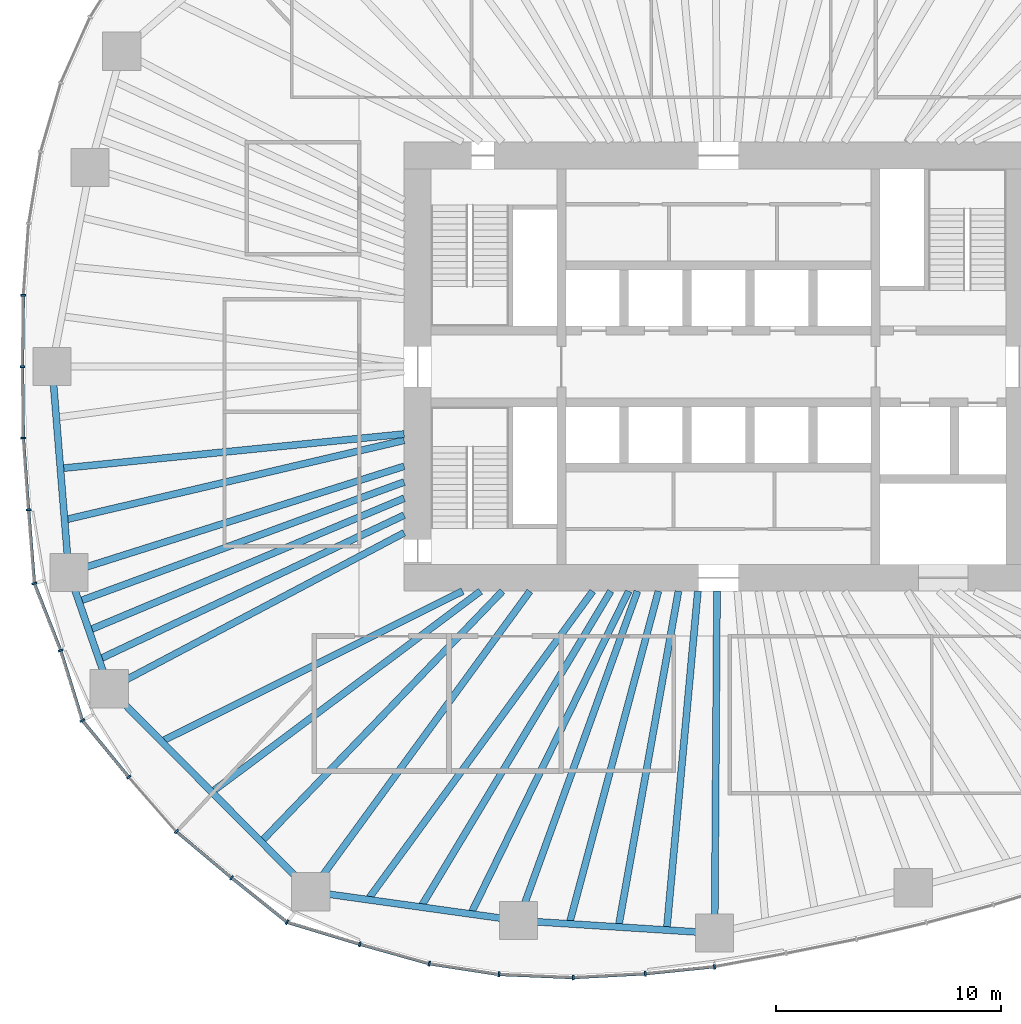
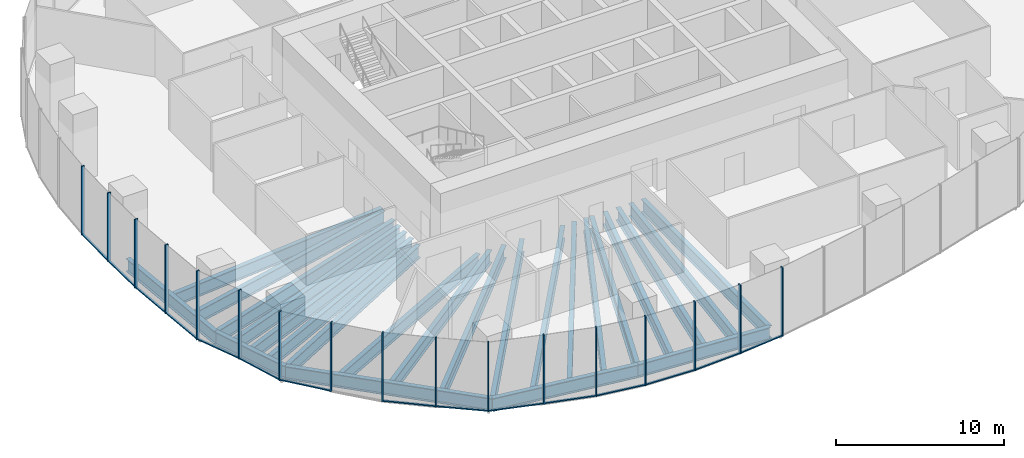
# One storey, part 2 of 20: 32 members, 24 beams, 7 elements without a shape of their own.
"""IFC4 building model written with IfcOpenShell, lengths in metres."""

from ifc_helpers import new_model, si_unit, direction, frame, origin, origin_2d, place, context, subcontext, project, spatial, rectangle, i_section, extrude, material, material_profile, profile_set, type_object, element, aggregate, save


model = new_model("IFC4")

# Units and contexts
model_context = context("Model", 3, precision=1e-05, world=origin(), true_north=direction((0.0, 1.0)))
body_context = subcontext(model_context, "Body", "Model", "MODEL_VIEW")
ifc_project = project(units=[si_unit("LENGTHUNIT", "METRE"), si_unit("AREAUNIT", "SQUARE_METRE"), si_unit("VOLUMEUNIT", "CUBIC_METRE"), si_unit("PLANEANGLEUNIT", "RADIAN"), si_unit("MASSUNIT", "GRAM", prefix="KILO")], contexts=[model_context])

# Site, building, storey
site_placement = place(None, origin())
site = spatial("IfcSite", under=ifc_project, at=site_placement, CompositionType="ELEMENT")
building_placement = place(site_placement, origin())
building = spatial("IfcBuilding", under=site, at=building_placement, Name="Ghaith Harvest Tower", CompositionType="ELEMENT")
storey_placement = place(building_placement, frame((0.0, 0.0, 60.0)))
storey = spatial("IfcBuildingStorey", under=building, at=storey_placement, Name="L12", CompositionType="ELEMENT", Elevation=60.0)

# Curtain wall, member
ifc_material_1 = material(Name="Black anodised aluminium and fritted glass", Category="aluminium")
curtain_wall_type = type_object("IfcCurtainWallType", Name="CW-F CURTAIN WALL", PredefinedType="NOTDEFINED", material=ifc_material_1)
curtain_wall_1_placement = place(storey_placement, origin())
curtain_wall_1 = element("IfcCurtainWall", 1, at=curtain_wall_1_placement, inside=storey, type_object=curtain_wall_type, Name="Curtain wall CW-F bay 10 L12", PredefinedType="NOTDEFINED")
ifc_material_2 = material(Name="Aluminium, black anodised", Category="aluminium")
ifc_material_profile_1 = material_profile(ifc_material_2, rectangle(XDim=0.080078125, YDim=0.219970703125, at=origin_2d()), Name="CW-F MULLION 80x220")
ifc_profile_set_1 = profile_set([ifc_material_profile_1], Name="Aluminium, black anodised")
member_type_1 = type_object("IfcMemberType", Name="CW-F MULLION 80x220", PredefinedType="MULLION", material=ifc_profile_set_1)
member_1_placement = place(storey_placement, frame((-30.95654296875, 3.177978515625, 0.0), z_axis=(0.0, 0.0, 1.0), x_axis=(-0.042427007767, -0.999099569118, 0.0)))
member_1 = element("IfcMember", 2, at=member_1_placement, type_object=member_type_1, Name="CW-F mullion 3 bay 10 L12", PredefinedType="MULLION", context=body_context, shape_type="SweptSolid", body=[
    extrude(rectangle(XDim=0.080078125, YDim=0.219970703125, at=origin_2d()), origin(), (0.0, 0.0, 1.0), 5.0),
])

# Curtain wall, members
curtain_wall_2_placement = place(storey_placement, origin())
curtain_wall_2 = element("IfcCurtainWall", 3, at=curtain_wall_2_placement, inside=storey, type_object=curtain_wall_type, Name="Curtain wall CW-F bay 11 L12", PredefinedType="NOTDEFINED")
member_2_placement = place(storey_placement, frame((-30.9951171875, 0.0, 0.0), z_axis=(0.0, 0.0, 1.0), x_axis=(1.4e-10, -1.0, 0.0)))
member_2 = element("IfcMember", 4, at=member_2_placement, type_object=member_type_1, Name="CW-F mullion 1 bay 11 L12", PredefinedType="MULLION", context=body_context, shape_type="SweptSolid", body=[
    extrude(rectangle(XDim=0.080078125, YDim=0.219970703125, at=origin_2d()), origin(), (0.0, 0.0, 1.0), 5.0),
])
member_3_placement = place(storey_placement, frame((-30.95654296875, -3.177978515625, 0.0), z_axis=(0.0, 0.0, 1.0), x_axis=(0.042427007872, -0.999099569114, 0.0)))
member_3 = element("IfcMember", 5, at=member_3_placement, type_object=member_type_1, Name="CW-F mullion 2 bay 11 L12", PredefinedType="MULLION", context=body_context, shape_type="SweptSolid", body=[
    extrude(rectangle(XDim=0.080078125, YDim=0.219970703125, at=origin_2d()), origin(), (0.0, 0.0, 1.0), 5.0),
])
member_4_placement = place(storey_placement, frame((-30.724365234375, -6.37548828125, 0.0), z_axis=(0.0, 0.0, 1.0), x_axis=(0.07568573288, -0.997131721408, 0.0)))
member_4 = element("IfcMember", 6, at=member_4_placement, type_object=member_type_1, Name="CW-F mullion 3 bay 11 L12", PredefinedType="MULLION", context=body_context, shape_type="SweptSolid", body=[
    extrude(rectangle(XDim=0.080078125, YDim=0.219970703125, at=origin_2d()), origin(), (0.0, 0.0, 1.0), 5.0),
])

curtain_wall_3_placement = place(storey_placement, origin())
curtain_wall_3 = element("IfcCurtainWall", 7, at=curtain_wall_3_placement, inside=storey, type_object=curtain_wall_type, Name="Curtain wall CW-F bay 12 L12", PredefinedType="NOTDEFINED")
member_5_placement = place(storey_placement, frame((-30.46484375, -9.65478515625, 0.0), z_axis=(0.0, 0.0, 1.0), x_axis=(0.222967363441, -0.974825910017, 0.0)))
member_5 = element("IfcMember", 8, at=member_5_placement, type_object=member_type_1, Name="CW-F mullion 1 bay 12 L12", PredefinedType="MULLION", context=body_context, shape_type="SweptSolid", body=[
    extrude(rectangle(XDim=0.080078125, YDim=0.219970703125, at=origin_2d()), origin(), (0.0, 0.0, 1.0), 5.0),
])
member_6_placement = place(storey_placement, frame((-29.29248046875, -12.63525390625, 0.0), z_axis=(0.0, 0.0, 1.0), x_axis=(0.330700518925, -0.943735750506, 0.0)))
member_6 = element("IfcMember", 9, at=member_6_placement, type_object=member_type_1, Name="CW-F mullion 2 bay 12 L12", PredefinedType="MULLION", context=body_context, shape_type="SweptSolid", body=[
    extrude(rectangle(XDim=0.080078125, YDim=0.219970703125, at=origin_2d()), origin(), (0.0, 0.0, 1.0), 5.0),
])
member_7_placement = place(storey_placement, frame((-28.3271484375, -15.7548828125, 0.0), z_axis=(0.0, 0.0, 1.0), x_axis=(0.473265082527, -0.880920065421, 0.0)))
member_7 = element("IfcMember", 10, at=member_7_placement, type_object=member_type_1, Name="CW-F mullion 3 bay 12 L12", PredefinedType="MULLION", context=body_context, shape_type="SweptSolid", body=[
    extrude(rectangle(XDim=0.080078125, YDim=0.219970703125, at=origin_2d()), origin(), (0.0, 0.0, 1.0), 5.0),
])

curtain_wall_4_placement = place(storey_placement, origin())
curtain_wall_4 = element("IfcCurtainWall", 11, at=curtain_wall_4_placement, inside=storey, type_object=curtain_wall_type, Name="Curtain wall CW-F bay 13 L12", PredefinedType="NOTDEFINED")
member_8_placement = place(storey_placement, frame((-26.26318359375, -18.274169921875, 0.0), z_axis=(0.0, 0.0, 1.0), x_axis=(0.646523538748, -0.762894038412, 0.0)))
member_8 = element("IfcMember", 12, at=member_8_placement, type_object=member_type_1, Name="CW-F mullion 1 bay 13 L12", PredefinedType="MULLION", context=body_context, shape_type="SweptSolid", body=[
    extrude(rectangle(XDim=0.080078125, YDim=0.219970703125, at=origin_2d()), origin(), (0.0, 0.0, 1.0), 5.0),
])
member_9_placement = place(storey_placement, frame((-24.139404296875, -20.696533203125, 0.0), z_axis=(0.0, 0.0, 1.0), x_axis=(0.714663248554, -0.699468684907, 0.0)))
member_9 = element("IfcMember", 13, at=member_9_placement, type_object=member_type_1, Name="CW-F mullion 2 bay 13 L12", PredefinedType="MULLION", context=body_context, shape_type="SweptSolid", body=[
    extrude(rectangle(XDim=0.080078125, YDim=0.219970703125, at=origin_2d()), origin(), (0.0, 0.0, 1.0), 5.0),
])
member_10_placement = place(storey_placement, frame((-21.681640625, -22.758056640625, 0.0), z_axis=(0.0, 0.0, 1.0), x_axis=(0.773138721505, -0.634236956751, 0.0)))
member_10 = element("IfcMember", 14, at=member_10_placement, type_object=member_type_1, Name="CW-F mullion 3 bay 13 L12", PredefinedType="MULLION", context=body_context, shape_type="SweptSolid", body=[
    extrude(rectangle(XDim=0.080078125, YDim=0.219970703125, at=origin_2d()), origin(), (0.0, 0.0, 1.0), 5.0),
])

curtain_wall_5_placement = place(storey_placement, origin())
curtain_wall_5 = element("IfcCurtainWall", 15, at=curtain_wall_5_placement, inside=storey, type_object=curtain_wall_type, Name="Curtain wall CW-F bay 14 L12", PredefinedType="NOTDEFINED")
member_11_placement = place(storey_placement, frame((-19.212646484375, -24.73828125, 0.0), z_axis=(0.0, 0.0, 1.0), x_axis=(0.887912253774, -0.460012858079, 0.0)))
member_11 = element("IfcMember", 16, at=member_11_placement, type_object=member_type_1, Name="CW-F mullion 1 bay 14 L12", PredefinedType="MULLION", context=body_context, shape_type="SweptSolid", body=[
    extrude(rectangle(XDim=0.080078125, YDim=0.219970703125, at=origin_2d()), origin(), (0.0, 0.0, 1.0), 5.0),
])
member_12_placement = place(storey_placement, frame((-15.97119140625, -25.716552734375, 0.0), z_axis=(0.0, 0.0, 1.0), x_axis=(0.960008876539, -0.279969564356, 0.0)))
member_12 = element("IfcMember", 17, at=member_12_placement, type_object=member_type_1, Name="CW-F mullion 2 bay 14 L12", PredefinedType="MULLION", context=body_context, shape_type="SweptSolid", body=[
    extrude(rectangle(XDim=0.080078125, YDim=0.219970703125, at=origin_2d()), origin(), (0.0, 0.0, 1.0), 5.0),
])
member_13_placement = place(storey_placement, frame((-12.880615234375, -26.5849609375, 0.0), z_axis=(0.0, 0.0, 1.0), x_axis=(0.977207016024, -0.212288595628, 0.0)))
member_13 = element("IfcMember", 18, at=member_13_placement, type_object=member_type_1, Name="CW-F mullion 3 bay 14 L12", PredefinedType="MULLION", context=body_context, shape_type="SweptSolid", body=[
    extrude(rectangle(XDim=0.080078125, YDim=0.219970703125, at=origin_2d()), origin(), (0.0, 0.0, 1.0), 5.0),
])

curtain_wall_6_placement = place(storey_placement, origin())
curtain_wall_6 = element("IfcCurtainWall", 19, at=curtain_wall_6_placement, inside=storey, type_object=curtain_wall_type, Name="Curtain wall CW-F bay 15 L12", PredefinedType="NOTDEFINED")
member_14_placement = place(storey_placement, frame((-9.7744140625, -27.062744140625, 0.0), z_axis=(0.0, 0.0, 1.0), x_axis=(0.995408459417, -0.095718331168, 0.0)))
member_14 = element("IfcMember", 20, at=member_14_placement, type_object=member_type_1, Name="CW-F mullion 1 bay 15 L12", PredefinedType="MULLION", context=body_context, shape_type="SweptSolid", body=[
    extrude(rectangle(XDim=0.080078125, YDim=0.219970703125, at=origin_2d()), origin(), (0.0, 0.0, 1.0), 5.0),
])
member_15_placement = place(storey_placement, frame((-6.465087890625, -27.20166015625, 0.0), z_axis=(0.0, 0.0, 1.0), x_axis=(0.999987206373, 0.005058368251, 0.0)))
member_15 = element("IfcMember", 21, at=member_15_placement, type_object=member_type_1, Name="CW-F mullion 2 bay 15 L12", PredefinedType="MULLION", context=body_context, shape_type="SweptSolid", body=[
    extrude(rectangle(XDim=0.080078125, YDim=0.219970703125, at=origin_2d()), origin(), (0.0, 0.0, 1.0), 5.0),
])
member_16_placement = place(storey_placement, frame((-3.261962890625, -27.02978515625, 0.0), z_axis=(0.0, 0.0, 1.0), x_axis=(0.997037536276, 0.07691652135, 0.0)))
member_16 = element("IfcMember", 22, at=member_16_placement, type_object=member_type_1, Name="CW-F mullion 3 bay 15 L12", PredefinedType="MULLION", context=body_context, shape_type="SweptSolid", body=[
    extrude(rectangle(XDim=0.080078125, YDim=0.219970703125, at=origin_2d()), origin(), (0.0, 0.0, 1.0), 5.0),
])

# Curtain wall, member
curtain_wall_7_placement = place(storey_placement, origin())
curtain_wall_7 = element("IfcCurtainWall", 23, at=curtain_wall_7_placement, inside=storey, type_object=curtain_wall_type, Name="Curtain wall CW-F bay 16 L12", PredefinedType="NOTDEFINED")
member_17_placement = place(storey_placement, frame((-0.182861328125, -26.717041015625, 0.0), z_axis=(0.0, 0.0, 1.0), x_axis=(0.98971187144, 0.143074845907, 0.0)))
member_17 = element("IfcMember", 24, at=member_17_placement, type_object=member_type_1, Name="CW-F mullion 1 bay 16 L12", PredefinedType="MULLION", context=body_context, shape_type="SweptSolid", body=[
    extrude(rectangle(XDim=0.080078125, YDim=0.219970703125, at=origin_2d()), origin(), (0.0, 0.0, 1.0), 5.0),
])
aggregate(curtain_wall_7, [member_17])

# Member
ifc_material_3 = material(Name="Aluminium, black anodised", Category="aluminium")
ifc_material_profile_2 = material_profile(ifc_material_3, rectangle(XDim=0.139892578125, YDim=0.080078125, at=origin_2d()), Name="CW-F TRANSOM 140x80")
ifc_profile_set_2 = profile_set([ifc_material_profile_2], Name="Aluminium, black anodised")
member_type_2 = type_object("IfcMemberType", Name="CW-F TRANSOM 140x80", PredefinedType="USERDEFINED", material=ifc_profile_set_2)
member_18_placement = place(storey_placement, frame((-30.95703125, 3.137939453125, 0.0400390625), z_axis=(-0.012135602457, -0.999926360865, 0.0), x_axis=(0.999926360865, -0.012135602457, 0.0)))
member_18 = element("IfcMember", 25, at=member_18_placement, type_object=member_type_2, Name="CW-F transom 3 bay 10 L12", ObjectType="TRANSOM", PredefinedType="USERDEFINED", context=body_context, shape_type="SweptSolid", body=[
    extrude(rectangle(XDim=0.139892578125, YDim=0.080078125, at=origin_2d()), origin(), (0.0, 0.0, 1.0), 3.09814453125),
])

aggregate(curtain_wall_1, [member_1, member_18])

member_19_placement = place(storey_placement, frame((-30.99462890625, -0.0400390625, 0.0400390625), z_axis=(0.012135602457, -0.999926360865, 0.0), x_axis=(0.999926360865, 0.012135602457, 0.0)))
member_19 = element("IfcMember", 26, at=member_19_placement, type_object=member_type_2, Name="CW-F transom 1 bay 11 L12", ObjectType="TRANSOM", PredefinedType="USERDEFINED", context=body_context, shape_type="SweptSolid", body=[
    extrude(rectangle(XDim=0.139892578125, YDim=0.080078125, at=origin_2d()), origin(), (0.0, 0.0, 1.0), 3.09814453125),
])

member_20_placement = place(storey_placement, frame((-30.95361328125, -3.2177734375, 0.0400390625), z_axis=(0.072473547161, -0.997370334912, 0.0), x_axis=(0.997370334912, 0.072473547161, 0.0)))
member_20 = element("IfcMember", 27, at=member_20_placement, type_object=member_type_2, Name="CW-F transom 2 bay 11 L12", ObjectType="TRANSOM", PredefinedType="USERDEFINED", context=body_context, shape_type="SweptSolid", body=[
    extrude(rectangle(XDim=0.139892578125, YDim=0.080078125, at=origin_2d()), origin(), (0.0, 0.0, 1.0), 3.126220703125),
])

member_21_placement = place(storey_placement, frame((-30.72119140625, -6.415283203125, 0.0400390625), z_axis=(0.078877539502, -0.996884313129, 0.0), x_axis=(0.996884313129, 0.078877539502, 0.0)))
member_21 = element("IfcMember", 28, at=member_21_placement, type_object=member_type_2, Name="CW-F transom 3 bay 11 L12", ObjectType="TRANSOM", PredefinedType="USERDEFINED", context=body_context, shape_type="SweptSolid", body=[
    extrude(rectangle(XDim=0.139892578125, YDim=0.080078125, at=origin_2d()), origin(), (0.0, 0.0, 1.0), 3.209716796875),
])

aggregate(curtain_wall_2, [member_2, member_19, member_3, member_20, member_4, member_21])

member_22_placement = place(storey_placement, frame((-30.4501953125, -9.692138671875, 0.0400390625), z_axis=(0.366046617161, -0.93059651518, 0.0), x_axis=(0.93059651518, 0.366046617161, 0.0)))
member_22 = element("IfcMember", 29, at=member_22_placement, type_object=member_type_2, Name="CW-F transom 1 bay 12 L12", ObjectType="TRANSOM", PredefinedType="USERDEFINED", context=body_context, shape_type="SweptSolid", body=[
    extrude(rectangle(XDim=0.139892578125, YDim=0.080078125, at=origin_2d()), origin(), (0.0, 0.0, 1.0), 3.122802734375),
])

member_23_placement = place(storey_placement, frame((-29.28076171875, -12.673583984375, 0.0400390625), z_axis=(0.295598800908, -0.955312173534, 0.0), x_axis=(0.955312173534, 0.295598800908, 0.0)))
member_23 = element("IfcMember", 30, at=member_23_placement, type_object=member_type_2, Name="CW-F transom 2 bay 12 L12", ObjectType="TRANSOM", PredefinedType="USERDEFINED", context=body_context, shape_type="SweptSolid", body=[
    extrude(rectangle(XDim=0.139892578125, YDim=0.080078125, at=origin_2d()), origin(), (0.0, 0.0, 1.0), 3.185546875),
])

member_24_placement = place(storey_placement, frame((-28.302001953125, -15.785888671875, 0.0400390625), z_axis=(0.633790042943, -0.773505126982, 0.0), x_axis=(0.773505126982, 0.633790042943, 0.0)))
member_24 = element("IfcMember", 31, at=member_24_placement, type_object=member_type_2, Name="CW-F transom 3 bay 12 L12", ObjectType="TRANSOM", PredefinedType="USERDEFINED", context=body_context, shape_type="SweptSolid", body=[
    extrude(rectangle(XDim=0.139892578125, YDim=0.080078125, at=origin_2d()), origin(), (0.0, 0.0, 1.0), 3.1767578125),
])

aggregate(curtain_wall_3, [member_5, member_22, member_6, member_23, member_7, member_24])

member_25_placement = place(storey_placement, frame((-24.10888671875, -20.72216796875, 0.0400390625), z_axis=(0.766144434184, -0.642668426149, 0.0), x_axis=(0.642668426149, 0.766144434184, 0.0)))
member_25 = element("IfcMember", 32, at=member_25_placement, type_object=member_type_2, Name="CW-F transom 2 bay 13 L12", ObjectType="TRANSOM", PredefinedType="USERDEFINED", context=body_context, shape_type="SweptSolid", body=[
    extrude(rectangle(XDim=0.139892578125, YDim=0.080078125, at=origin_2d()), origin(), (0.0, 0.0, 1.0), 3.1279296875),
])

member_26_placement = place(storey_placement, frame((-21.650634765625, -22.783203125, 0.0400390625), z_axis=(0.780181223133, -0.625553562112, 0.0), x_axis=(0.625553562112, 0.780181223133, 0.0)))
member_26 = element("IfcMember", 33, at=member_26_placement, type_object=member_type_2, Name="CW-F transom 3 bay 13 L12", ObjectType="TRANSOM", PredefinedType="USERDEFINED", context=body_context, shape_type="SweptSolid", body=[
    extrude(rectangle(XDim=0.139892578125, YDim=0.080078125, at=origin_2d()), origin(), (0.0, 0.0, 1.0), 3.085205078125),
])

aggregate(curtain_wall_4, [member_8, member_9, member_25, member_10, member_26])

member_27_placement = place(storey_placement, frame((-19.17431640625, -24.749755859375, 0.0400390625), z_axis=(0.957335035376, -0.288980328121, 0.0), x_axis=(0.288980328121, 0.957335035376, 0.0)))
member_27 = element("IfcMember", 34, at=member_27_placement, type_object=member_type_2, Name="CW-F transom 1 bay 14 L12", ObjectType="TRANSOM", PredefinedType="USERDEFINED", context=body_context, shape_type="SweptSolid", body=[
    extrude(rectangle(XDim=0.139892578125, YDim=0.080078125, at=origin_2d()), origin(), (0.0, 0.0, 1.0), 3.305908203125),
])

member_28_placement = place(storey_placement, frame((-15.9326171875, -25.727294921875, 0.0400390625), z_axis=(0.962727128991, -0.270474536888, 0.0), x_axis=(0.270474536888, 0.962727128991, 0.0)))
member_28 = element("IfcMember", 35, at=member_28_placement, type_object=member_type_2, Name="CW-F transom 2 bay 14 L12", ObjectType="TRANSOM", PredefinedType="USERDEFINED", context=body_context, shape_type="SweptSolid", body=[
    extrude(rectangle(XDim=0.139892578125, YDim=0.080078125, at=origin_2d()), origin(), (0.0, 0.0, 1.0), 3.13037109375),
])

member_29_placement = place(storey_placement, frame((-12.841064453125, -26.591064453125, 0.0400390625), z_axis=(0.988378147633, -0.152015253451, 0.0), x_axis=(0.152015253451, 0.988378147633, 0.0)))
member_29 = element("IfcMember", 36, at=member_29_placement, type_object=member_type_2, Name="CW-F transom 3 bay 14 L12", ObjectType="TRANSOM", PredefinedType="USERDEFINED", context=body_context, shape_type="SweptSolid", body=[
    extrude(rectangle(XDim=0.139892578125, YDim=0.080078125, at=origin_2d()), origin(), (0.0, 0.0, 1.0), 3.062744140625),
])

aggregate(curtain_wall_5, [member_11, member_27, member_12, member_28, member_13, member_29])

member_30_placement = place(storey_placement, frame((-9.734375, -27.064453125, 0.0400390625), z_axis=(0.999117688764, -0.04199814281, 0.0), x_axis=(0.04199814281, 0.999117688764, 0.0)))
member_30 = element("IfcMember", 37, at=member_30_placement, type_object=member_type_2, Name="CW-F transom 1 bay 15 L12", ObjectType="TRANSOM", PredefinedType="USERDEFINED", context=body_context, shape_type="SweptSolid", body=[
    extrude(rectangle(XDim=0.139892578125, YDim=0.080078125, at=origin_2d()), origin(), (0.0, 0.0, 1.0), 3.232177734375),
])

member_31_placement = place(storey_placement, frame((-6.42529296875, -27.19970703125, 0.0400390625), z_axis=(0.99856142387, 0.053619798202, 0.0), x_axis=(-0.053619798202, 0.99856142387, 0.0)))
member_31 = element("IfcMember", 38, at=member_31_placement, type_object=member_type_2, Name="CW-F transom 2 bay 15 L12", ObjectType="TRANSOM", PredefinedType="USERDEFINED", context=body_context, shape_type="SweptSolid", body=[
    extrude(rectangle(XDim=0.139892578125, YDim=0.080078125, at=origin_2d()), origin(), (0.0, 0.0, 1.0), 3.1279296875),
])

member_32_placement = place(storey_placement, frame((-3.22216796875, -27.02587890625, 0.0400390625), z_axis=(0.994880435036, 0.101058992587, 0.0), x_axis=(-0.101058992587, 0.994880435036, 0.0)))
member_32 = element("IfcMember", 39, at=member_32_placement, type_object=member_type_2, Name="CW-F transom 3 bay 15 L12", ObjectType="TRANSOM", PredefinedType="USERDEFINED", context=body_context, shape_type="SweptSolid", body=[
    extrude(rectangle(XDim=0.139892578125, YDim=0.080078125, at=origin_2d()), origin(), (0.0, 0.0, 1.0), 3.014892578125),
])

aggregate(curtain_wall_6, [member_14, member_30, member_15, member_31, member_16, member_32])

# Beams
ifc_material_4 = material(Name="Steel ASTM A992 Grade 50", Category="steel")
ifc_material_profile_3 = material_profile(ifc_material_4, i_section(OverallWidth=0.306884765625, OverallDepth=0.94189453125, WebThickness=0.022216796875, FlangeThickness=0.039794921875, at=origin_2d()), Name="W920X345")
ifc_profile_set_3 = profile_set([ifc_material_profile_3], Name="Steel ASTM A992 Grade 50")
beam_type_1 = type_object("IfcBeamType", Name="E920-345 W920X345", PredefinedType="SPANDREL", material=ifc_profile_set_3)
beam_1_placement = place(storey_placement, frame((-29.675048828125, 0.0, -0.6708984375), z_axis=(0.081006863421, -0.996713543642, 0.0), x_axis=(0.996713543642, 0.081006863421, 0.0)))
element("IfcBeam", 40, at=beam_1_placement, inside=storey, type_object=beam_type_1, Name="Edge beam E11 L12", PredefinedType="SPANDREL", context=body_context, shape_type="SweptSolid", body=[
    extrude(i_section(OverallWidth=0.306884765625, OverallDepth=0.94189453125, WebThickness=0.022216796875, FlangeThickness=0.039794921875, at=origin_2d()), origin(), (0.0, 0.0, 1.0), 9.1982421875),
])
beam_2_placement = place(storey_placement, frame((-28.929931640625, -9.16796875, -0.6708984375), z_axis=(0.328278550319, -0.944580961803, 0.0), x_axis=(0.944580961803, 0.328278550319, 0.0)))
element("IfcBeam", 41, at=beam_2_placement, inside=storey, type_object=beam_type_1, Name="Edge beam E12 L12", PredefinedType="SPANDREL", context=body_context, shape_type="SweptSolid", body=[
    extrude(i_section(OverallWidth=0.306884765625, OverallDepth=0.94189453125, WebThickness=0.022216796875, FlangeThickness=0.039794921875, at=origin_2d()), origin(), (0.0, 0.0, 1.0), 5.4765625),
])
beam_3_placement = place(storey_placement, frame((-27.132080078125, -14.341064453125, -0.6708984375), z_axis=(0.704562513714, -0.709641926798, 0.0), x_axis=(0.709641926798, 0.704562513714, 0.0)))
element("IfcBeam", 42, at=beam_3_placement, inside=storey, type_object=beam_type_1, Name="Edge beam E13 L12", PredefinedType="SPANDREL", context=body_context, shape_type="SweptSolid", body=[
    extrude(i_section(OverallWidth=0.306884765625, OverallDepth=0.94189453125, WebThickness=0.022216796875, FlangeThickness=0.039794921875, at=origin_2d()), origin(), (0.0, 0.0, 1.0), 12.737060546875),
])
beam_4_placement = place(storey_placement, frame((-18.157958984375, -23.3798828125, -0.6708984375), z_axis=(0.990441143901, -0.137936001352, 0.0), x_axis=(0.137936001352, 0.990441143901, 0.0)))
element("IfcBeam", 43, at=beam_4_placement, inside=storey, type_object=beam_type_1, Name="Edge beam E14 L12", PredefinedType="SPANDREL", context=body_context, shape_type="SweptSolid", body=[
    extrude(i_section(OverallWidth=0.306884765625, OverallDepth=0.94189453125, WebThickness=0.022216796875, FlangeThickness=0.039794921875, at=origin_2d()), origin(), (0.0, 0.0, 1.0), 9.33837890625),
])
beam_5_placement = place(storey_placement, frame((-8.908935546875, -24.66796875, -0.6708984375), z_axis=(0.99797963184, -0.063534671101, 0.0), x_axis=(0.063534671101, 0.99797963184, 0.0)))
element("IfcBeam", 44, at=beam_5_placement, inside=storey, type_object=beam_type_1, Name="Edge beam E15 L12", PredefinedType="SPANDREL", context=body_context, shape_type="SweptSolid", body=[
    extrude(i_section(OverallWidth=0.306884765625, OverallDepth=0.94189453125, WebThickness=0.022216796875, FlangeThickness=0.039794921875, at=origin_2d()), origin(), (0.0, 0.0, 1.0), 8.75341796875),
])
ifc_material_5 = material(Name="Steel ASTM A992 Grade 50", Category="steel")
ifc_material_profile_4 = material_profile(ifc_material_5, i_section(OverallWidth=0.306884765625, OverallDepth=0.94189453125, WebThickness=0.022216796875, FlangeThickness=0.039794921875, at=origin_2d()), Name="W920X345")
ifc_profile_set_4 = profile_set([ifc_material_profile_4], Name="Steel ASTM A992 Grade 50")
beam_type_2 = type_object("IfcBeamType", Name="G920-345 W920X345", PredefinedType="BEAM", material=ifc_profile_set_4)
beam_6_placement = place(storey_placement, frame((-14.0, -4.43701171875, -0.6708984375), z_axis=(-0.953284407194, -0.302074227636, 0.0), x_axis=(0.302074227636, -0.953284407194, 0.0)))
element("IfcBeam", 45, at=beam_6_placement, inside=storey, type_object=beam_type_2, Name="Radial girder G12 L12", PredefinedType="BEAM", context=body_context, shape_type="SweptSolid", body=[
    extrude(i_section(OverallWidth=0.306884765625, OverallDepth=0.94189453125, WebThickness=0.022216796875, FlangeThickness=0.039794921875, at=origin_2d()), origin(), (0.0, 0.0, 1.0), 15.66162109375),
])
beam_7_placement = place(storey_placement, frame((-14.0, -7.39990234375, -0.6708984375), z_axis=(-0.884097171481, -0.467303104397, 0.0), x_axis=(0.467303104397, -0.884097171481, 0.0)))
element("IfcBeam", 46, at=beam_7_placement, inside=storey, type_object=beam_type_2, Name="Radial girder G13 L12", PredefinedType="BEAM", context=body_context, shape_type="SweptSolid", body=[
    extrude(i_section(OverallWidth=0.306884765625, OverallDepth=0.94189453125, WebThickness=0.022216796875, FlangeThickness=0.039794921875, at=origin_2d()), origin(), (0.0, 0.0, 1.0), 14.853759765625),
])
beam_8_placement = place(storey_placement, frame((-8.39990234375, -10.0, -0.6708984375), z_axis=(-0.589246749374, -0.807953134997, 0.0), x_axis=(0.807953134997, -0.589246749374, 0.0)))
element("IfcBeam", 47, at=beam_8_placement, inside=storey, type_object=beam_type_2, Name="Radial girder G14 L12", PredefinedType="BEAM", context=body_context, shape_type="SweptSolid", body=[
    extrude(i_section(OverallWidth=0.306884765625, OverallDepth=0.94189453125, WebThickness=0.022216796875, FlangeThickness=0.039794921875, at=origin_2d()), origin(), (0.0, 0.0, 1.0), 16.560302734375),
])
beam_9_placement = place(storey_placement, frame((-3.61181640625, -10.0, -0.6708984375), z_axis=(-0.339664467784, -0.940546675782, 0.0), x_axis=(0.940546675782, -0.339664467784, 0.0)))
element("IfcBeam", 48, at=beam_9_placement, inside=storey, type_object=beam_type_2, Name="Radial girder G15 L12", PredefinedType="BEAM", context=body_context, shape_type="SweptSolid", body=[
    extrude(i_section(OverallWidth=0.306884765625, OverallDepth=0.94189453125, WebThickness=0.022216796875, FlangeThickness=0.039794921875, at=origin_2d()), origin(), (0.0, 0.0, 1.0), 15.59521484375),
])
beam_10_placement = place(storey_placement, frame((-0.068359375, -10.0, -0.6708984375), z_axis=(-0.006879467722, -0.999976336182, 0.0), x_axis=(0.999976336182, -0.006879467722, 0.0)))
element("IfcBeam", 49, at=beam_10_placement, inside=storey, type_object=beam_type_2, Name="Radial girder G16 L12", PredefinedType="BEAM", context=body_context, shape_type="SweptSolid", body=[
    extrude(i_section(OverallWidth=0.306884765625, OverallDepth=0.94189453125, WebThickness=0.022216796875, FlangeThickness=0.039794921875, at=origin_2d()), origin(), (0.0, 0.0, 1.0), 15.224365234375),
])
ifc_material_6 = material(Name="Steel ASTM A992 Grade 50", Category="steel")
ifc_material_profile_5 = material_profile(ifc_material_6, i_section(OverallWidth=0.31005859375, OverallDepth=0.927001953125, WebThickness=0.019287109375, FlangeThickness=0.031982421875, at=origin_2d()), Name="W920X289")
ifc_profile_set_5 = profile_set([ifc_material_profile_5], Name="Steel ASTM A992 Grade 50")
beam_type_3 = type_object("IfcBeamType", Name="J920-289 W920X289", PredefinedType="JOIST", material=ifc_profile_set_5)
beam_11_placement = place(storey_placement, frame((-14.0, -3.0, -0.66357421875), z_axis=(-0.995023982133, -0.099635711366, 0.0), x_axis=(0.099635711366, -0.995023982133, 0.0)))
element("IfcBeam", 50, at=beam_11_placement, inside=storey, type_object=beam_type_3, Name="Joist J11.2 L12", PredefinedType="JOIST", context=body_context, shape_type="SweptSolid", body=[
    extrude(i_section(OverallWidth=0.31005859375, OverallDepth=0.927001953125, WebThickness=0.019287109375, FlangeThickness=0.031982421875, at=origin_2d()), origin(), (0.0, 0.0, 1.0), 15.38330078125),
])
beam_12_placement = place(storey_placement, frame((-14.0, -3.280517578125, -0.66357421875), z_axis=(-0.973622531394, -0.228164778969, 0.0), x_axis=(0.228164778969, -0.973622531394, 0.0)))
element("IfcBeam", 51, at=beam_12_placement, inside=storey, type_object=beam_type_3, Name="Joist J11.3 L12", PredefinedType="JOIST", context=body_context, shape_type="SweptSolid", body=[
    extrude(i_section(OverallWidth=0.31005859375, OverallDepth=0.927001953125, WebThickness=0.019287109375, FlangeThickness=0.031982421875, at=origin_2d()), origin(), (0.0, 0.0, 1.0), 15.5302734375),
])
beam_13_placement = place(storey_placement, frame((-14.0, -5.137939453125, -0.66357421875), z_axis=(-0.938772784742, -0.344536875569, 0.0), x_axis=(0.344536875569, -0.938772784742, 0.0)))
element("IfcBeam", 52, at=beam_13_placement, inside=storey, type_object=beam_type_3, Name="Joist J12.1 L12", PredefinedType="JOIST", context=body_context, shape_type="SweptSolid", body=[
    extrude(i_section(OverallWidth=0.31005859375, OverallDepth=0.927001953125, WebThickness=0.019287109375, FlangeThickness=0.031982421875, at=origin_2d()), origin(), (0.0, 0.0, 1.0), 15.427734375),
])
beam_14_placement = place(storey_placement, frame((-14.0, -5.862548828125, -0.66357421875), z_axis=(-0.922389547545, -0.386260951404, 0.0), x_axis=(0.386260951404, -0.922389547545, 0.0)))
element("IfcBeam", 53, at=beam_14_placement, inside=storey, type_object=beam_type_3, Name="Joist J12.2 L12", PredefinedType="JOIST", context=body_context, shape_type="SweptSolid", body=[
    extrude(i_section(OverallWidth=0.31005859375, OverallDepth=0.927001953125, WebThickness=0.019287109375, FlangeThickness=0.031982421875, at=origin_2d()), origin(), (0.0, 0.0, 1.0), 15.216796875),
])
beam_15_placement = place(storey_placement, frame((-14.0, -6.614990234375, -0.66357421875), z_axis=(-0.904152605228, -0.427209628239, 0.0), x_axis=(0.427209628239, -0.904152605228, 0.0)))
element("IfcBeam", 54, at=beam_15_placement, inside=storey, type_object=beam_type_3, Name="Joist J12.3 L12", PredefinedType="JOIST", context=body_context, shape_type="SweptSolid", body=[
    extrude(i_section(OverallWidth=0.31005859375, OverallDepth=0.927001953125, WebThickness=0.019287109375, FlangeThickness=0.031982421875, at=origin_2d()), origin(), (0.0, 0.0, 1.0), 15.0263671875),
])
beam_16_placement = place(storey_placement, frame((-11.39990234375, -10.0, -0.66357421875), z_axis=(-0.894746445211, -0.446574516495, 0.0), x_axis=(0.446574516495, -0.894746445211, 0.0)))
element("IfcBeam", 55, at=beam_16_placement, inside=storey, type_object=beam_type_3, Name="Joist J13.1 L12", PredefinedType="JOIST", context=body_context, shape_type="SweptSolid", body=[
    extrude(i_section(OverallWidth=0.31005859375, OverallDepth=0.927001953125, WebThickness=0.019287109375, FlangeThickness=0.031982421875, at=origin_2d()), origin(), (0.0, 0.0, 1.0), 14.977783203125),
])
beam_17_placement = place(storey_placement, frame((-10.60009765625, -10.0, -0.66357421875), z_axis=(-0.800995319048, -0.598670609653, 0.0), x_axis=(0.598670609653, -0.800995319048, 0.0)))
element("IfcBeam", 56, at=beam_17_placement, inside=storey, type_object=beam_type_3, Name="Joist J13.2 L12", PredefinedType="JOIST", context=body_context, shape_type="SweptSolid", body=[
    extrude(i_section(OverallWidth=0.31005859375, OverallDepth=0.927001953125, WebThickness=0.019287109375, FlangeThickness=0.031982421875, at=origin_2d()), origin(), (0.0, 0.0, 1.0), 14.936279296875),
])
beam_18_placement = place(storey_placement, frame((-1.785888671875, -10.0, -0.66357421875), z_axis=(-0.175792307544, -0.984427277461, 0.0), x_axis=(0.984427277461, -0.175792307544, 0.0)))
element("IfcBeam", 57, at=beam_18_placement, inside=storey, type_object=beam_type_3, Name="Joist J15.2 L12", PredefinedType="JOIST", context=body_context, shape_type="SweptSolid", body=[
    extrude(i_section(OverallWidth=0.31005859375, OverallDepth=0.927001953125, WebThickness=0.019287109375, FlangeThickness=0.031982421875, at=origin_2d()), origin(), (0.0, 0.0, 1.0), 15.18798828125),
])
beam_19_placement = place(storey_placement, frame((-0.92041015625, -10.0, -0.66357421875), z_axis=(-0.091651457116, -0.995791147987, 0.0), x_axis=(0.995791147987, -0.091651457116, 0.0)))
element("IfcBeam", 58, at=beam_19_placement, inside=storey, type_object=beam_type_3, Name="Joist J15.3 L12", PredefinedType="JOIST", context=body_context, shape_type="SweptSolid", body=[
    extrude(i_section(OverallWidth=0.31005859375, OverallDepth=0.927001953125, WebThickness=0.019287109375, FlangeThickness=0.031982421875, at=origin_2d()), origin(), (0.0, 0.0, 1.0), 15.151611328125),
])
ifc_material_7 = material(Name="Steel ASTM A992 Grade 50", Category="steel")
ifc_material_profile_6 = material_profile(ifc_material_7, i_section(OverallWidth=0.306884765625, OverallDepth=0.94189453125, WebThickness=0.022216796875, FlangeThickness=0.039794921875, at=origin_2d()), Name="W920X345")
ifc_profile_set_6 = profile_set([ifc_material_profile_6], Name="Steel ASTM A992 Grade 50")
beam_type_4 = type_object("IfcBeamType", Name="J920-345 W920X345", PredefinedType="JOIST", material=ifc_profile_set_6)
beam_20_placement = place(storey_placement, frame((-9.626708984375, -10.0, -0.6708984375), z_axis=(-0.69353836378, -0.720419695709, 0.0), x_axis=(0.720419695709, -0.69353836378, 0.0)))
element("IfcBeam", 59, at=beam_20_placement, inside=storey, type_object=beam_type_4, Name="Joist J13.3 L12", PredefinedType="JOIST", context=body_context, shape_type="SweptSolid", body=[
    extrude(i_section(OverallWidth=0.306884765625, OverallDepth=0.94189453125, WebThickness=0.022216796875, FlangeThickness=0.039794921875, at=origin_2d()), origin(), (0.0, 0.0, 1.0), 15.485107421875),
])
beam_21_placement = place(storey_placement, frame((-5.60009765625, -10.0, -0.6708984375), z_axis=(-0.589160240072, -0.808016219836, 0.0), x_axis=(0.808016219836, -0.589160240072, 0.0)))
element("IfcBeam", 60, at=beam_21_placement, inside=storey, type_object=beam_type_4, Name="Joist J14.1 L12", PredefinedType="JOIST", context=body_context, shape_type="SweptSolid", body=[
    extrude(i_section(OverallWidth=0.306884765625, OverallDepth=0.94189453125, WebThickness=0.022216796875, FlangeThickness=0.039794921875, at=origin_2d()), origin(), (0.0, 0.0, 1.0), 16.997314453125),
])
beam_22_placement = place(storey_placement, frame((-4.800048828125, -10.0, -0.6708984375), z_axis=(-0.515226384897, -0.85705412449, 0.0), x_axis=(0.85705412449, -0.515226384897, 0.0)))
element("IfcBeam", 61, at=beam_22_placement, inside=storey, type_object=beam_type_4, Name="Joist J14.2 L12", PredefinedType="JOIST", context=body_context, shape_type="SweptSolid", body=[
    extrude(i_section(OverallWidth=0.306884765625, OverallDepth=0.94189453125, WebThickness=0.022216796875, FlangeThickness=0.039794921875, at=origin_2d()), origin(), (0.0, 0.0, 1.0), 16.408447265625),
])
beam_23_placement = place(storey_placement, frame((-4.0, -10.0, -0.6708984375), z_axis=(-0.439463806704, -0.898260297797, 0.0), x_axis=(0.898260297797, -0.439463806704, 0.0)))
element("IfcBeam", 62, at=beam_23_placement, inside=storey, type_object=beam_type_4, Name="Joist J14.3 L12", PredefinedType="JOIST", context=body_context, shape_type="SweptSolid", body=[
    extrude(i_section(OverallWidth=0.306884765625, OverallDepth=0.94189453125, WebThickness=0.022216796875, FlangeThickness=0.039794921875, at=origin_2d()), origin(), (0.0, 0.0, 1.0), 16.000244140625),
])
beam_24_placement = place(storey_placement, frame((-2.677978515625, -10.0, -0.6708984375), z_axis=(-0.258693109612, -0.965959561803, 0.0), x_axis=(0.965959561803, -0.258693109612, 0.0)))
element("IfcBeam", 63, at=beam_24_placement, inside=storey, type_object=beam_type_4, Name="Joist J15.1 L12", PredefinedType="JOIST", context=body_context, shape_type="SweptSolid", body=[
    extrude(i_section(OverallWidth=0.306884765625, OverallDepth=0.94189453125, WebThickness=0.022216796875, FlangeThickness=0.039794921875, at=origin_2d()), origin(), (0.0, 0.0, 1.0), 15.333984375),
])

save(model, "model.ifc")
